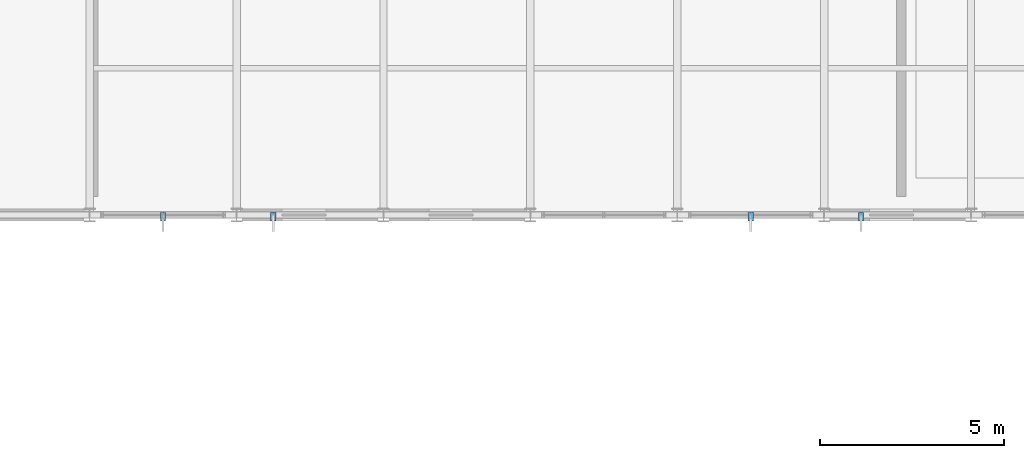
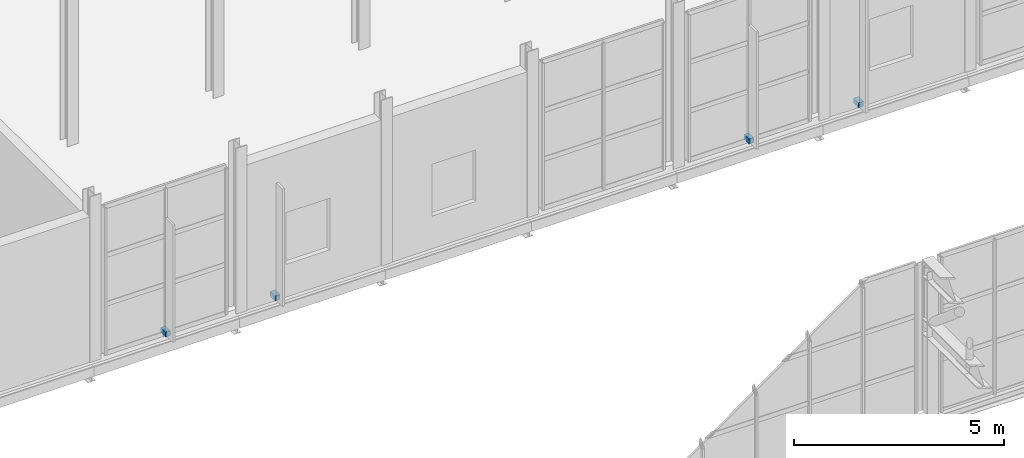
# One storey, part 130 of 143: 4 discrete accessories.
"""IFC4 building model written with IfcOpenShell, lengths in metres."""

import ifcopenshell
import ifcopenshell.guid

model = None  # the IFC model being written
_history = None  # IfcOwnerHistory: only IFC2X3 demands one
_inside = {}  # id of a spatial element -> (the spatial element, [elements in it])
_under = {}  # id of a project, library or spatial element -> (it, [spatial elements below it])
_declared = {}  # id of a project -> (the project, [libraries it declares])
_typed = {}  # id of a type object -> (the type object, [elements of that type])
_made_of = {}  # id of a material, layer set ... -> (it, [elements and type objects made of it])


def new_model(schema):
    """Start an empty IFC model of exactly this schema.

    Asked for "IFC4X3", IfcOpenShell would pick the latest addendum, in which some entities
    have other attributes; the version numbers below select the first issue.
    IFC2X3 requires an IfcOwnerHistory on every rooted entity: one is made here for all.
    """
    global model, _history
    if schema == "IFC4X3":
        model = ifcopenshell.file(schema_version=(4, 3, 0, 0))
    else:
        model = ifcopenshell.file(schema=schema)
    _inside.clear()
    _under.clear()
    _declared.clear()
    _typed.clear()
    _made_of.clear()
    _history = None
    if model.schema == "IFC2X3":
        org = make("IfcOrganization", Name="unknown")
        user = make(
            "IfcPersonAndOrganization",
            ThePerson=make("IfcPerson", FamilyName="unknown"),
            TheOrganization=org,
        )
        app = make(
            "IfcApplication",
            ApplicationDeveloper=org,
            Version="unknown",
            ApplicationFullName="unknown",
            ApplicationIdentifier="unknown",
        )
        _history = make(
            "IfcOwnerHistory",
            OwningUser=user,
            OwningApplication=app,
            ChangeAction="ADDED",
            CreationDate=0,
        )
    return model


def make(cls, **values):
    """One entity of the class cls with the attributes given. An attribute that is None is left unset."""
    return model.create_entity(
        cls, **{name: value for name, value in values.items() if value is not None}
    )


def rooted(cls, **values):
    """An entity with a GlobalId (a new one), such as an element, a storey or a relation."""
    return make(cls, GlobalId=ifcopenshell.guid.new(), OwnerHistory=_history, **values)


def si_unit(unit_type, name, prefix=None):
    """IfcSIUnit, for example si_unit("LENGTHUNIT", "METRE", prefix="MILLI")."""
    return make("IfcSIUnit", UnitType=unit_type, Prefix=prefix, Name=name)


def derived_unit(unit_type, elements):
    """IfcDerivedUnit: a product of units, each with its exponent."""
    return make(
        "IfcDerivedUnit",
        Elements=[
            make("IfcDerivedUnitElement", Unit=unit, Exponent=power)
            for unit, power in elements
        ],
        UnitType=unit_type,
    )


def assignment(units):
    """IfcUnitAssignment: the units of a project."""
    return None if units is None else make("IfcUnitAssignment", Units=units)


def point(xyz):
    """IfcCartesianPoint."""
    return None if xyz is None else make("IfcCartesianPoint", Coordinates=xyz)


def direction(xyz):
    """IfcDirection."""
    return None if xyz is None else make("IfcDirection", DirectionRatios=xyz)


def frame(location, z_axis=None, x_axis=None):
    """IfcAxis2Placement3D, a coordinate frame: its origin and axes. An axis left out is left unset."""
    return make(
        "IfcAxis2Placement3D",
        Location=point(location),
        Axis=direction(z_axis),
        RefDirection=direction(x_axis),
    )


def frame_2d(location, x_axis=None):
    """IfcAxis2Placement2D, a coordinate frame in the plane: its origin and x axis."""
    return make(
        "IfcAxis2Placement2D", Location=point(location), RefDirection=direction(x_axis)
    )


def origin():
    """The frame at (0, 0, 0) with its axes left unset."""
    return frame((0.0, 0.0, 0.0))


def origin_2d():
    """The frame at (0, 0) in the plane with its x axis left unset."""
    return frame_2d((0.0, 0.0))


def place(relative_to, where):
    """IfcLocalPlacement: puts the frame where relative to a parent placement (None: the world)."""
    return make(
        "IfcLocalPlacement", PlacementRelTo=relative_to, RelativePlacement=where
    )


def context(
    kind, dimensions, precision=None, world=None, true_north=None, identifier=None
):
    """IfcGeometricRepresentationContext, for example the 3D "Model" context."""
    return make(
        "IfcGeometricRepresentationContext",
        ContextIdentifier=identifier,
        ContextType=kind,
        CoordinateSpaceDimension=dimensions,
        Precision=precision,
        WorldCoordinateSystem=world,
        TrueNorth=true_north,
    )


def subcontext(parent, identifier, kind, view, scale=None):
    """IfcGeometricRepresentationSubContext, for example "Body" below "Model"."""
    return make(
        "IfcGeometricRepresentationSubContext",
        ContextIdentifier=identifier,
        ContextType=kind,
        ParentContext=parent,
        TargetScale=scale,
        TargetView=view,
    )


def project(units=None, contexts=None):
    """IfcProject with its units and contexts."""
    return rooted(
        "IfcProject",
        Name="project",
        RepresentationContexts=contexts,
        UnitsInContext=assignment(units),
    )


def spatial(cls, under=None, at=None, **own):
    """A site, building, storey or space (cls), placed at a placement, below another one or the project."""
    s = rooted(cls, ObjectPlacement=at, **own)
    if under is not None:
        _under.setdefault(under.id(), (under, []))[1].append(s)
    return s


def profile(cls, at=None, kind="AREA", **sizes):
    """A parametric profile (cls). Its sizes go by their IFC names, for example OverallWidth=200.0."""
    return make(cls, ProfileType=kind, Position=at, **sizes)


def rectangle(**sizes):
    """IfcRectangleProfileDef."""
    return profile("IfcRectangleProfileDef", **sizes)


def extrude(swept, where, along, depth):
    """IfcExtrudedAreaSolid: the profile swept, set in the frame where, extruded along a direction by depth."""
    return make(
        "IfcExtrudedAreaSolid",
        SweptArea=swept,
        Position=where,
        ExtrudedDirection=direction(along),
        Depth=depth,
    )


def shape(context_of_items, identifier, shape_type, items):
    """IfcShapeRepresentation: the items that make up one representation, for example the "Body"."""
    return make(
        "IfcShapeRepresentation",
        ContextOfItems=context_of_items,
        RepresentationIdentifier=identifier,
        RepresentationType=shape_type,
        Items=items,
    )


def material(Name=None, Category=None):
    """IfcMaterial."""
    return make("IfcMaterial", Name=Name, Category=Category)


def made_of(thing, what):
    """Note that an element or type object is made of a material, layer set ...; save() writes the relation."""
    if what is not None:
        _made_of.setdefault(what.id(), (what, []))[1].append(thing)
    return thing


def type_object(cls, material=None, **own):
    """A type object (cls), such as IfcWallType, which elements share."""
    return made_of(rooted(cls, **own), material)


def element(
    cls,
    number,
    at=None,
    inside=None,
    cuts=None,
    type_object=None,
    material=None,
    context=None,
    identifier="Body",
    shape_type=None,
    held_by="IfcProductDefinitionShape",
    body=None,
    shapes=None,
    **own,
):
    """One element of the class cls, such as IfcWall. Its Tag is "e" and its number.

    at: its placement. inside: the storey or other place that contains it. cuts: it is an
    opening in that element (IfcRelVoidsElement). A single representation is given by context,
    identifier, shape_type and body (its items); several are given by shapes. held_by: the class
    of the entity that holds the representations. save() writes the other relations.
    """
    e = rooted(cls, Tag="e%d" % number, ObjectPlacement=at, **own)
    if body is not None:
        shapes = [shape(context, identifier, shape_type, body)]
    if shapes is not None:
        e.Representation = make(held_by, Representations=shapes)
    if inside is not None:
        _inside.setdefault(inside.id(), (inside, []))[1].append(e)
    if cuts is not None:
        rooted(
            "IfcRelVoidsElement", RelatingBuildingElement=cuts, RelatedOpeningElement=e
        )
    if type_object is not None:
        _typed.setdefault(type_object.id(), (type_object, []))[1].append(e)
    return made_of(e, material)


def aggregate(whole, parts):
    """IfcRelAggregates: a whole, such as a stair, and the parts it consists of."""
    return rooted("IfcRelAggregates", RelatingObject=whole, RelatedObjects=parts)


def save(model, path):
    """Write the relations noted so far, then the file.

    IfcRelAggregates (storeys below a building ...), IfcRelContainedInSpatialStructure (elements
    in a storey), IfcRelDefinesByType, IfcRelAssociatesMaterial and IfcRelDeclares: one each for
    every whole, place, type object, material and project.
    """
    for whole, parts in _under.values():
        aggregate(whole, parts)
    for where, things in _inside.values():
        rooted(
            "IfcRelContainedInSpatialStructure",
            RelatedElements=things,
            RelatingStructure=where,
        )
    for kind, things in _typed.values():
        rooted("IfcRelDefinesByType", RelatedObjects=things, RelatingType=kind)
    for what, things in _made_of.values():
        rooted("IfcRelAssociatesMaterial", RelatedObjects=things, RelatingMaterial=what)
    for by, libraries in _declared.values():
        rooted("IfcRelDeclares", RelatingContext=by, RelatedDefinitions=libraries)
    model.write(path)


model = new_model("IFC4")

# Units and contexts
model_context = context("Model", 3, precision=1e-05, world=origin(), true_north=direction((0.0, 1.0)))
body_context = subcontext(model_context, "Body", "Model", "MODEL_VIEW")
ifc_project = project(units=[si_unit("LENGTHUNIT", "METRE"), si_unit("AREAUNIT", "SQUARE_METRE"), si_unit("VOLUMEUNIT", "CUBIC_METRE"), si_unit("PLANEANGLEUNIT", "RADIAN"), si_unit("MASSUNIT", "GRAM", prefix="KILO"), derived_unit("THERMALTRANSMITTANCEUNIT", [(si_unit("POWERUNIT", "WATT"), 1), (si_unit("LENGTHUNIT", "METRE"), -2), (si_unit("THERMODYNAMICTEMPERATUREUNIT", "KELVIN"), -1)])], contexts=[model_context])

# Site, building, storey
site_placement = place(None, origin())
site = spatial("IfcSite", under=ifc_project, at=site_placement, CompositionType="ELEMENT")
building_placement = place(site_placement, origin())
building = spatial("IfcBuilding", under=site, at=building_placement, Name="Keldorne Ridge Multi-Sports Centre", CompositionType="ELEMENT")
storey_placement = place(building_placement, frame((0.0, 0.0, 4.800048828125)))
storey = spatial("IfcBuildingStorey", under=building, at=storey_placement, Name="L01", CompositionType="ELEMENT", Elevation=4.800048828125)

# Discrete accessories
ifc_material = material(Name="Galvanized steel", Category="steel")
discrete_accessory_type = type_object("IfcDiscreteAccessoryType", Name="ACC-BK-01", PredefinedType="BRACKET", material=ifc_material)
for number, where, z_axis, x_axis, name in (
    (1, (122.0, 65.949951171875, 0.0), (0.0, 0.0, 1.0), (1.0, 0.0, 0.0), "Solar fin bracket BK-01"),
    (2, (125.0, 65.949951171875, 0.0), (0.0, 0.0, 1.0), (1.0, 0.0, 0.0), "Solar fin bracket BK-02"),
    (3, (138.0, 65.949951171875, 0.0), (0.0, 0.0, 1.0), (1.0, 0.0, 0.0), "Solar fin bracket BK-03"),
    (4, (141.0, 65.949951171875, 0.0), (0.0, 0.0, 1.0), (1.0, 0.0, 0.0), "Solar fin bracket BK-04"),
):
    element("IfcDiscreteAccessory", number, at=place(storey_placement, frame(where, z_axis=z_axis, x_axis=x_axis)), inside=storey, type_object=discrete_accessory_type, Name=name, PredefinedType="BRACKET", context=body_context, shape_type="SweptSolid", body=[
        extrude(rectangle(XDim=0.139892578125, YDim=0.239990234375, at=origin_2d()), origin(), (0.0, 0.0, 1.0), 0.139892578125),
    ])

save(model, "model.ifc")
